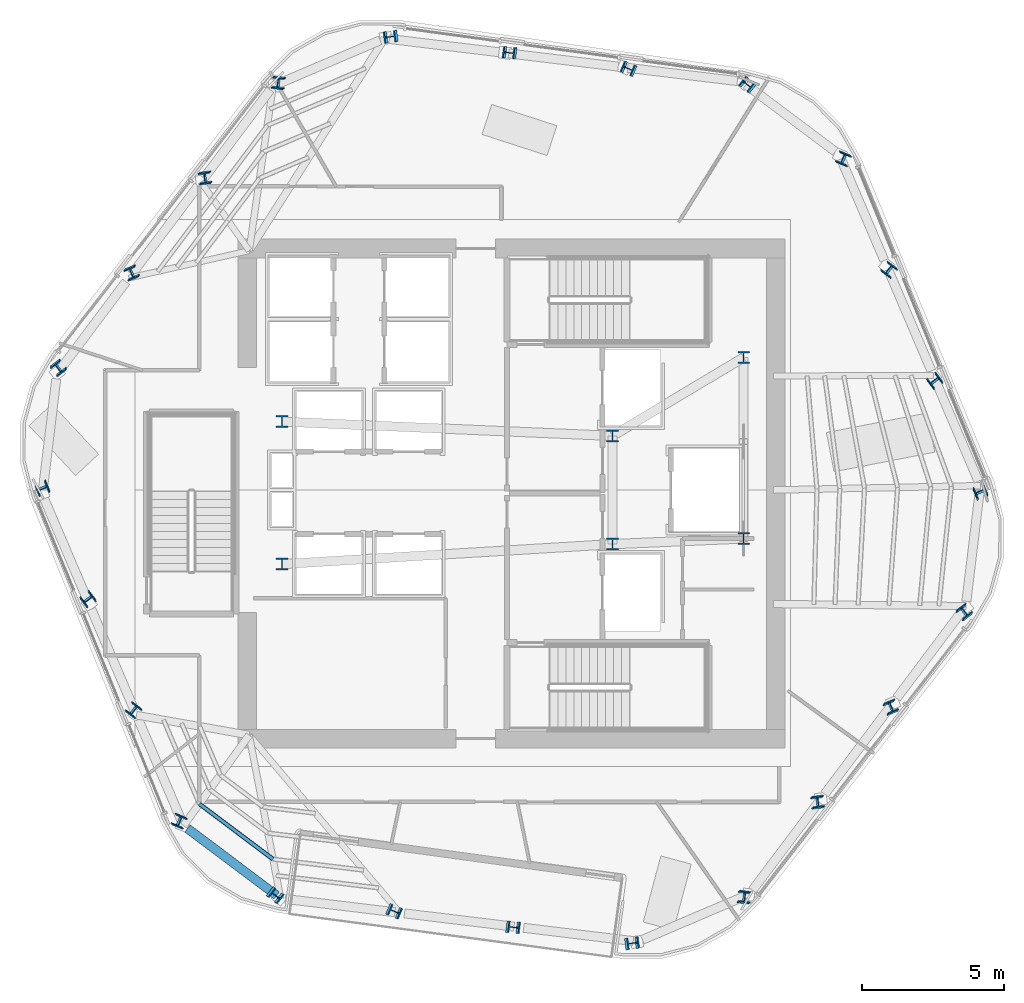
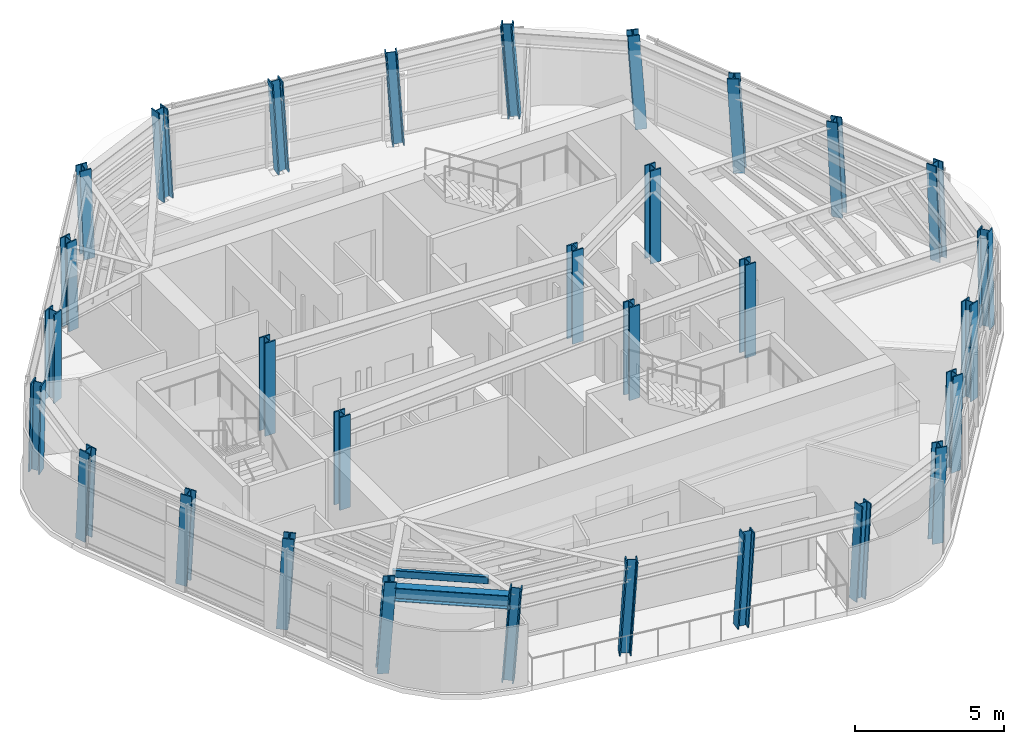
# One storey, part 1 of 12: 30 columns, 1 beam, 1 member.
"""IFC4 building model written with IfcOpenShell, lengths in metres."""

from ifc_helpers import new_model, si_unit, direction, frame, origin, origin_2d, place, context, subcontext, project, spatial, hollow_rectangle, i_section, extrude, material, material_profile, profile_set, type_object, element, save


model = new_model("IFC4")

# Units and contexts
model_context = context("Model", 3, precision=1e-05, world=origin(), true_north=direction((0.0, 1.0)))
body_context = subcontext(model_context, "Body", "Model", "MODEL_VIEW")
ifc_project = project(units=[si_unit("LENGTHUNIT", "METRE"), si_unit("AREAUNIT", "SQUARE_METRE"), si_unit("VOLUMEUNIT", "CUBIC_METRE"), si_unit("PLANEANGLEUNIT", "RADIAN"), si_unit("MASSUNIT", "GRAM", prefix="KILO")], contexts=[model_context])

# Site, building, storey
site_placement = place(None, origin())
site = spatial("IfcSite", under=ifc_project, at=site_placement, CompositionType="ELEMENT")
building_placement = place(site_placement, origin())
building = spatial("IfcBuilding", under=site, at=building_placement, Name="Valkerne Bourse Tower", CompositionType="ELEMENT")
storey_placement = place(building_placement, frame((0.0, 0.0, 247.39990234375)))
storey = spatial("IfcBuildingStorey", under=building, at=storey_placement, Name="L63", CompositionType="ELEMENT", Elevation=247.39990234375)

# Columns
ifc_material_1 = material(Name="Steel ASTM A913 Grade 65", Category="steel")
ifc_material_profile_1 = material_profile(ifc_material_1, i_section(OverallWidth=0.40380859375, OverallDepth=0.406494140625, WebThickness=0.027099609375, FlangeThickness=0.043701171875, FilletRadius=0.025390625, at=origin_2d()), Name="W14X233")
ifc_profile_set_1 = profile_set([ifc_material_profile_1], Name="Steel ASTM A913 Grade 65")
column_type_1 = type_object("IfcColumnType", Name="COL-W14X233", PredefinedType="COLUMN", material=ifc_profile_set_1)
column_1_placement = place(storey_placement, frame((55.122314453125, 41.20068359375, 0.010009765625), z_axis=(-0.059137421502, 0.034013680341, 0.997670203488), x_axis=(0.611334938597, 0.791317805375, 0.009258711977)))
element("IfcColumn", 1, at=column_1_placement, inside=storey, type_object=column_type_1, Name="L63 Helical Perimeter Tube Column F1-C1", PredefinedType="COLUMN", context=body_context, shape_type="SweptSolid", body=[
    extrude(i_section(OverallWidth=0.40380859375, OverallDepth=0.406494140625, WebThickness=0.027099609375, FlangeThickness=0.043701171875, FilletRadius=0.025390625, at=origin_2d()), origin(), (0.0, 0.0, 1.0), 3.789794921875),
])
for number, where, z_axis, x_axis, name in (
    (2, (50.94921875, 41.772216796875, 0.010009765625), (-0.061346487973, 0.016754292934, 0.997975902556), (0.391678553341, 0.920061641282, 0.008630590563), "L63 Helical Perimeter Tube Column F1-C2"),
    (3, (46.776123046875, 42.343994140625, 0.010009765625), (-0.06360182787, -0.000579955877, 0.997975185635), (0.12640134387, 0.991941624703, 0.008632117326), "L63 Helical Perimeter Tube Column F1-C3"),
):
    element("IfcColumn", number, at=place(storey_placement, frame(where, z_axis=z_axis, x_axis=x_axis)), inside=storey, type_object=column_type_1, Name=name, PredefinedType="COLUMN", context=body_context, shape_type="SweptSolid", body=[
        extrude(i_section(OverallWidth=0.40380859375, OverallDepth=0.406494140625, WebThickness=0.027099609375, FlangeThickness=0.043701171875, FilletRadius=0.025390625, at=origin_2d()), origin(), (0.0, 0.0, 1.0), 3.78857421875),
    ])
for number, where, z_axis, x_axis, name in (
    (4, (42.603271484375, 42.91552734375, 0.010009765625), (-0.065837050293, -0.017908708397, 0.997669665256), (-0.129397801855, 0.99154952743, 0.009259780147), "L63 Helical Perimeter Tube Column F1-C4"),
    (5, (38.6630859375, 41.3076171875, 0.010009765625), (-0.059072837159, -0.034206844636, 0.997667425393), (-0.989326159562, 0.135367960331, -0.053937605823), "L63 Helical Perimeter Tube Column F2-C1"),
):
    element("IfcColumn", number, at=place(storey_placement, frame(where, z_axis=z_axis, x_axis=x_axis)), inside=storey, type_object=column_type_1, Name=name, PredefinedType="COLUMN", context=body_context, shape_type="SweptSolid", body=[
        extrude(i_section(OverallWidth=0.40380859375, OverallDepth=0.406494140625, WebThickness=0.027099609375, FlangeThickness=0.043701171875, FilletRadius=0.025390625, at=origin_2d()), origin(), (0.0, 0.0, 1.0), 3.789794921875),
    ])
for number, where, z_axis, x_axis, name in (
    (6, (36.081298828125, 37.9794921875, 0.010009765625), (-0.045107794067, -0.044785595538, 0.997977723873), (-0.991423612193, -0.120650647573, -0.050225913902), "L63 Helical Perimeter Tube Column F2-C2"),
    (7, (33.5, 34.6513671875, 0.010009765625), (-0.031317516846, -0.055417828164, 0.997971982302), (-0.921557616736, -0.38496981919, -0.050297090866), "L63 Helical Perimeter Tube Column F2-C3"),
):
    element("IfcColumn", number, at=place(storey_placement, frame(where, z_axis=z_axis, x_axis=x_axis)), inside=storey, type_object=column_type_1, Name=name, PredefinedType="COLUMN", context=body_context, shape_type="SweptSolid", body=[
        extrude(i_section(OverallWidth=0.40380859375, OverallDepth=0.406494140625, WebThickness=0.027099609375, FlangeThickness=0.043701171875, FilletRadius=0.025390625, at=origin_2d()), origin(), (0.0, 0.0, 1.0), 3.78857421875),
    ])
for number, where, z_axis, x_axis, name in (
    (8, (30.918212890625, 31.3232421875, 0.010009765625), (-0.01739336042, -0.06596592989, 0.997670269732), (-0.793638829904, -0.60599644039, -0.053904748436), "L63 Helical Perimeter Tube Column F2-C4"),
    (9, (30.3408203125, 27.10693359375, 0.010009765625), (6.4419853e-05, -0.06822062391, 0.997670257311), (0.378712868724, -0.923356342749, -0.063163497116), "L63 Helical Perimeter Tube Column F3-C1"),
):
    element("IfcColumn", number, at=place(storey_placement, frame(where, z_axis=z_axis, x_axis=x_axis)), inside=storey, type_object=column_type_1, Name=name, PredefinedType="COLUMN", context=body_context, shape_type="SweptSolid", body=[
        extrude(i_section(OverallWidth=0.40380859375, OverallDepth=0.406494140625, WebThickness=0.027099609375, FlangeThickness=0.043701171875, FilletRadius=0.025390625, at=origin_2d()), origin(), (0.0, 0.0, 1.0), 3.789794921875),
    ])
for number, where, z_axis, x_axis, name in (
    (10, (31.93212890625, 23.207275390625, 0.010009765625), (0.016238721441, -0.061539599111, 0.997972535528), (0.601084412842, -0.797010050098, -0.058927995731), "L63 Helical Perimeter Tube Column F3-C2"),
    (11, (33.523681640625, 19.307373046875, 0.010009765625), (0.032284260704, -0.054773695806, 0.997976737584), (0.794687220421, -0.604158011399, -0.058866959845), "L63 Helical Perimeter Tube Column F3-C3"),
):
    element("IfcColumn", number, at=place(storey_placement, frame(where, z_axis=z_axis, x_axis=x_axis)), inside=storey, type_object=column_type_1, Name=name, PredefinedType="COLUMN", context=body_context, shape_type="SweptSolid", body=[
        extrude(i_section(OverallWidth=0.40380859375, OverallDepth=0.406494140625, WebThickness=0.027099609375, FlangeThickness=0.043701171875, FilletRadius=0.025390625, at=origin_2d()), origin(), (0.0, 0.0, 1.0), 3.78857421875),
    ])
for number, where, z_axis, x_axis, name in (
    (12, (35.114990234375, 15.40771484375, 0.010009765625), (0.048443675081, -0.048057156397, 0.997669143586), (0.921875789749, -0.382300269298, -0.063178575243), "L63 Helical Perimeter Tube Column F3-C4"),
    (13, (38.477783203125, 12.79931640625, 0.010009765625), (0.059137421502, -0.034013680341, 0.997670203488), (0.611334938597, 0.791317805375, -0.009258711977), "L63 Helical Perimeter Tube Column F4-C1"),
):
    element("IfcColumn", number, at=place(storey_placement, frame(where, z_axis=z_axis, x_axis=x_axis)), inside=storey, type_object=column_type_1, Name=name, PredefinedType="COLUMN", context=body_context, shape_type="SweptSolid", body=[
        extrude(i_section(OverallWidth=0.40380859375, OverallDepth=0.406494140625, WebThickness=0.027099609375, FlangeThickness=0.043701171875, FilletRadius=0.025390625, at=origin_2d()), origin(), (0.0, 0.0, 1.0), 3.789794921875),
    ])
for number, where, z_axis, x_axis, name in (
    (14, (42.65087890625, 12.227783203125, 0.010009765625), (0.061346487973, -0.016754292934, 0.997975902556), (0.391678553341, 0.920061641282, -0.008630590563), "L63 Helical Perimeter Tube Column F4-C2"),
    (15, (46.82373046875, 11.656005859375, 0.010009765625), (0.06360182787, 0.000579955877, 0.997975185635), (0.12640134387, 0.991941624703, -0.008632117326), "L63 Helical Perimeter Tube Column F4-C3"),
):
    element("IfcColumn", number, at=place(storey_placement, frame(where, z_axis=z_axis, x_axis=x_axis)), inside=storey, type_object=column_type_1, Name=name, PredefinedType="COLUMN", context=body_context, shape_type="SweptSolid", body=[
        extrude(i_section(OverallWidth=0.40380859375, OverallDepth=0.406494140625, WebThickness=0.027099609375, FlangeThickness=0.043701171875, FilletRadius=0.025390625, at=origin_2d()), origin(), (0.0, 0.0, 1.0), 3.78857421875),
    ])
for number, where, z_axis, x_axis, name in (
    (16, (50.996826171875, 11.08447265625, 0.010009765625), (0.065837050293, 0.017908708397, 0.997669665256), (-0.129397801855, 0.99154952743, -0.009259780147), "L63 Helical Perimeter Tube Column F4-C4"),
    (17, (54.93701171875, 12.6923828125, 0.010009765625), (0.059008641922, 0.034206974739, 0.997671219921), (-0.989392711027, 0.134898203062, 0.053893767513), "L63 Helical Perimeter Tube Column F5-C1"),
):
    element("IfcColumn", number, at=place(storey_placement, frame(where, z_axis=z_axis, x_axis=x_axis)), inside=storey, type_object=column_type_1, Name=name, PredefinedType="COLUMN", context=body_context, shape_type="SweptSolid", body=[
        extrude(i_section(OverallWidth=0.40380859375, OverallDepth=0.406494140625, WebThickness=0.027099609375, FlangeThickness=0.043701171875, FilletRadius=0.025390625, at=origin_2d()), origin(), (0.0, 0.0, 1.0), 3.789794921875),
    ])
for number, where, z_axis, x_axis, name in (
    (18, (57.5185546875, 16.0205078125, 0.010009765625), (0.045172102376, 0.044785465265, 0.997974820959), (-0.991507845618, -0.119941369626, 0.050261913325), "L63 Helical Perimeter Tube Column F5-C2"),
    (19, (60.10009765625, 19.3486328125, 0.010009765625), (0.031317516846, 0.055417828164, 0.997971982302), (-0.921557616736, -0.38496981919, 0.050297090866), "L63 Helical Perimeter Tube Column F5-C3"),
):
    element("IfcColumn", number, at=place(storey_placement, frame(where, z_axis=z_axis, x_axis=x_axis)), inside=storey, type_object=column_type_1, Name=name, PredefinedType="COLUMN", context=body_context, shape_type="SweptSolid", body=[
        extrude(i_section(OverallWidth=0.40380859375, OverallDepth=0.406494140625, WebThickness=0.027099609375, FlangeThickness=0.043701171875, FilletRadius=0.025390625, at=origin_2d()), origin(), (0.0, 0.0, 1.0), 3.78857421875),
    ])
for number, where, z_axis, x_axis, name in (
    (20, (62.681640625, 22.6767578125, 0.010009765625), (0.017457760676, 0.06596585584, 0.997669149796), (-0.7941914641, -0.605270849499, 0.053917688168), "L63 Helical Perimeter Tube Column F5-C4"),
    (21, (63.25927734375, 26.89306640625, 0.010009765625), (-0.000128839704, 0.068220623485, 0.997670251101), (0.379584611374, -0.922998312467, 0.063163581205), "L63 Helical Perimeter Tube Column F6-C1"),
):
    element("IfcColumn", number, at=place(storey_placement, frame(where, z_axis=z_axis, x_axis=x_axis)), inside=storey, type_object=column_type_1, Name=name, PredefinedType="COLUMN", context=body_context, shape_type="SweptSolid", body=[
        extrude(i_section(OverallWidth=0.40380859375, OverallDepth=0.406494140625, WebThickness=0.027099609375, FlangeThickness=0.043701171875, FilletRadius=0.025390625, at=origin_2d()), origin(), (0.0, 0.0, 1.0), 3.789794921875),
    ])
for number, where, z_axis, x_axis, name in (
    (22, (61.667724609375, 30.792724609375, 0.010009765625), (-0.016174298961, 0.061539663379, 0.997973577749), (0.600303930928, -0.797599188232, 0.058912863138), "L63 Helical Perimeter Tube Column F6-C2"),
    (23, (60.076416015625, 34.692626953125, 0.010009765625), (-0.032348632982, 0.054773581742, 0.997974659341), (0.795213180651, -0.603462610673, 0.058897154759), "L63 Helical Perimeter Tube Column F6-C3"),
):
    element("IfcColumn", number, at=place(storey_placement, frame(where, z_axis=z_axis, x_axis=x_axis)), inside=storey, type_object=column_type_1, Name=name, PredefinedType="COLUMN", context=body_context, shape_type="SweptSolid", body=[
        extrude(i_section(OverallWidth=0.40380859375, OverallDepth=0.406494140625, WebThickness=0.027099609375, FlangeThickness=0.043701171875, FilletRadius=0.025390625, at=origin_2d()), origin(), (0.0, 0.0, 1.0), 3.78857421875),
    ])
column_2_placement = place(storey_placement, frame((58.48486328125, 38.59228515625, 0.010009765625), z_axis=(-0.048443675081, 0.048057156397, 0.997669143586), x_axis=(0.921875789749, -0.382300269298, 0.063178575243)))
element("IfcColumn", 24, at=column_2_placement, inside=storey, type_object=column_type_1, Name="L63 Helical Perimeter Tube Column F6-C4", PredefinedType="COLUMN", context=body_context, shape_type="SweptSolid", body=[
    extrude(i_section(OverallWidth=0.40380859375, OverallDepth=0.406494140625, WebThickness=0.027099609375, FlangeThickness=0.043701171875, FilletRadius=0.025390625, at=origin_2d()), origin(), (0.0, 0.0, 1.0), 3.789794921875),
])
ifc_material_profile_2 = material_profile(ifc_material_1, i_section(OverallWidth=0.408935546875, OverallDepth=0.42431640625, WebThickness=0.03271484375, FlangeThickness=0.052490234375, FilletRadius=0.025390625, at=origin_2d()), Name="W14X283")
ifc_profile_set_2 = profile_set([ifc_material_profile_2], Name="Steel ASTM A913 Grade 65")
column_type_2 = type_object("IfcColumnType", Name="COL-W14X283", PredefinedType="COLUMN", material=ifc_profile_set_2)
for number, where, z_axis, x_axis, name in (
    (25, (38.75, 24.39990234375, 0.005126953125), (0.0, 0.0, 1.0), (1.0, 0.0, 0.0), "L63 Core Frame Column CC-SW"),
    (26, (38.75, 29.39990234375, 0.005126953125), (0.0, 0.0, 1.0), (1.0, 0.0, 0.0), "L63 Core Frame Column CC-NW"),
    (27, (50.35009765625, 25.10009765625, 0.005126953125), (0.0, 0.0, 1.0), (1.0, 0.0, 0.0), "L63 Core Frame Column CC-CE1"),
    (28, (50.35009765625, 28.89990234375, 0.005126953125), (0.0, 0.0, 1.0), (1.0, 0.0, 0.0), "L63 Core Frame Column CC-CE2"),
    (29, (54.949951171875, 25.300048828125, 0.005126953125), (0.0, 0.0, 1.0), (1.0, 0.0, 0.0), "L63 Core Frame Column CC-SE"),
    (30, (54.949951171875, 31.64990234375, 0.005126953125), (0.0, 0.0, 1.0), (1.0, 0.0, 0.0), "L63 Core Frame Column CC-NE"),
):
    element("IfcColumn", number, at=place(storey_placement, frame(where, z_axis=z_axis, x_axis=x_axis)), inside=storey, type_object=column_type_2, Name=name, PredefinedType="COLUMN", context=body_context, shape_type="SweptSolid", body=[
        extrude(i_section(OverallWidth=0.408935546875, OverallDepth=0.42431640625, WebThickness=0.03271484375, FlangeThickness=0.052490234375, FilletRadius=0.025390625, at=origin_2d()), origin(), (0.0, 0.0, 1.0), 3.794921875),
    ])

# Beam
ifc_material_2 = material(Name="Steel ASTM A992", Category="steel")
ifc_material_profile_3 = material_profile(ifc_material_2, i_section(OverallWidth=0.31494140625, OverallDepth=0.5537109375, WebThickness=0.0166015625, FlangeThickness=0.026123046875, FilletRadius=0.020263671875, at=origin_2d()), Name="W21X132")
ifc_profile_set_3 = profile_set([ifc_material_profile_3], Name="Steel ASTM A992")
beam_type = type_object("IfcBeamType", Name="BM-W21X132", PredefinedType="BEAM", material=ifc_profile_set_3)
beam_placement = place(storey_placement, frame((35.4345703125, 15.123291015625, 3.26318359375), z_axis=(0.799715589028, -0.600379027503, 0.0), x_axis=(0.600379027503, 0.799715589028, 0.0)))
element("IfcBeam", 31, at=beam_placement, inside=storey, type_object=beam_type, Name="L63 Hexagonal Spandrel Ring Beam 11", PredefinedType="BEAM", context=body_context, shape_type="SweptSolid", body=[
    extrude(i_section(OverallWidth=0.31494140625, OverallDepth=0.5537109375, WebThickness=0.0166015625, FlangeThickness=0.026123046875, FilletRadius=0.020263671875, at=origin_2d()), origin(), (0.0, 0.0, 1.0), 3.91552734375),
])

# Member
ifc_material_3 = material(Name="Steel ASTM A500 Grade C", Category="steel")
ifc_material_profile_4 = material_profile(ifc_material_3, hollow_rectangle(XDim=0.14990234375, YDim=0.300048828125, WallThickness=0.012451171875, OuterFilletRadius=0.02490234375, at=origin_2d()), Name="HSS300X150X12.5")
ifc_profile_set_4 = profile_set([ifc_material_profile_4], Name="Steel ASTM A500 Grade C")
member_type = type_object("IfcMemberType", Name="MBR-HSS300X150X12.5", PredefinedType="PURLIN", material=ifc_profile_set_4)
member_placement = place(storey_placement, frame((35.85107421875, 15.9873046875, 3.380126953125), z_axis=(0.799691914336, -0.600410561321, 0.0), x_axis=(0.600410561321, 0.799691914336, 0.0)))
element("IfcMember", 32, at=member_placement, inside=storey, type_object=member_type, Name="L63 Secondary Composite Floor Purlin O-11", PredefinedType="PURLIN", context=body_context, shape_type="SweptSolid", body=[
    extrude(hollow_rectangle(XDim=0.14990234375, YDim=0.300048828125, WallThickness=0.012451171875, OuterFilletRadius=0.02490234375, at=origin_2d()), origin(), (0.0, 0.0, 1.0), 3.234375),
])

save(model, "model.ifc")
